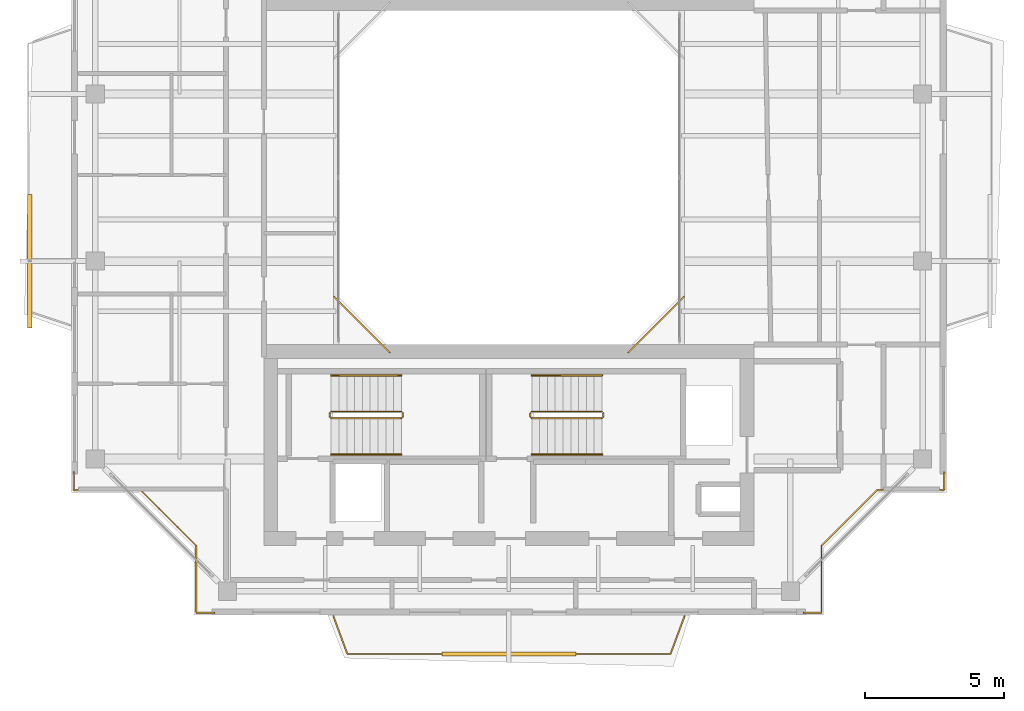
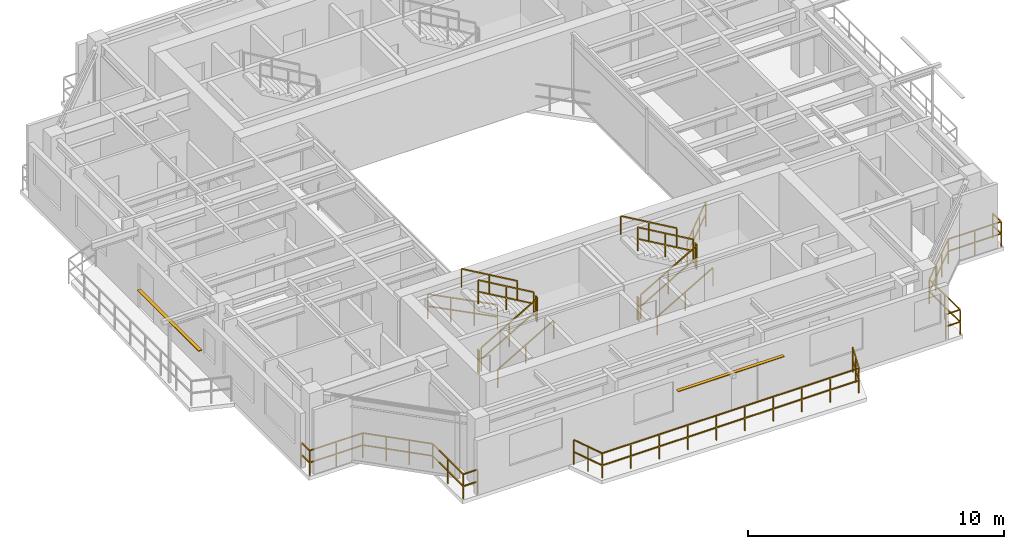
# One storey, part 13 of 15: 17 railings, 2 shading devices.
"""IFC4 building model written with IfcOpenShell, lengths in metres."""

from ifc_helpers import new_model, si_unit, direction, frame, origin, origin_2d, place, context, subcontext, project, spatial, rectangle, extrude, source, transform, mapped, material, material_profile, profile_set, type_object, element, save


model = new_model("IFC4")

# Units and contexts
model_context = context("Model", 3, precision=1e-05, world=origin(), true_north=direction((0.0, 1.0)))
body_context = subcontext(model_context, "Body", "Model", "MODEL_VIEW")
ifc_project = project(units=[si_unit("LENGTHUNIT", "METRE"), si_unit("AREAUNIT", "SQUARE_METRE"), si_unit("VOLUMEUNIT", "CUBIC_METRE"), si_unit("PLANEANGLEUNIT", "RADIAN"), si_unit("MASSUNIT", "GRAM", prefix="KILO"), si_unit("THERMODYNAMICTEMPERATUREUNIT", "KELVIN"), si_unit("POWERUNIT", "WATT")], contexts=[model_context])

# Site, building, storey
site_placement = place(None, origin())
site = spatial("IfcSite", under=ifc_project, at=site_placement, CompositionType="ELEMENT")
building_placement = place(site_placement, origin())
building = spatial("IfcBuilding", under=site, at=building_placement, Name="Qiaomeng Ring Towers", CompositionType="ELEMENT")
storey_placement = place(building_placement, frame((0.0, 0.0, 256.75)))
storey = spatial("IfcBuildingStorey", under=building, at=storey_placement, Name="L75", CompositionType="ELEMENT", Elevation=256.75)

# Railings
ifc_material_1 = material(Name="Low-E pale-green laminated safety glass", Category="glass")
railing_type_1 = type_object("IfcRailingType", Name="ARC-RL-BAL1", PredefinedType="BALUSTRADE", material=ifc_material_1)
railing_1_placement = place(storey_placement, frame((23.280029296875, 16.719970703125, 0.0)))
element("IfcRailing", 1, at=railing_1_placement, inside=storey, type_object=railing_type_1, Name="L75 Balustrade ARC-BAL-WELL1-L75-1", PredefinedType="BALUSTRADE", context=body_context, shape_type="SweptSolid", body=[
    extrude(rectangle(XDim=0.048095703125, YDim=0.048095703125, at=origin_2d()), frame((0.0, 0.0, 1.17578125), z_axis=(0.707106781187, 0.707106781187, 0.0), x_axis=(-0.707106781187, 0.707106781187, 0.0)), (0.0, 0.0, 1.0), 2.828369140625),
    extrude(rectangle(XDim=0.048095703125, YDim=0.048095703125, at=origin_2d()), frame((0.0, 0.0, 0.60009765625), z_axis=(0.707106781187, 0.707106781187, 0.0), x_axis=(-0.707106781187, 0.707106781187, 0.0)), (0.0, 0.0, 1.0), 2.828369140625),
    extrude(rectangle(XDim=0.0419921875, YDim=0.0419921875, at=origin_2d()), origin(), (0.0, 0.0, 1.0), 1.15185546875),
    extrude(rectangle(XDim=0.0419921875, YDim=0.0419921875, at=origin_2d()), frame((0.666748046875, 0.666748046875, 0.0)), (0.0, 0.0, 1.0), 1.15185546875),
    extrude(rectangle(XDim=0.0419921875, YDim=0.0419921875, at=origin_2d()), frame((1.333251953125, 1.333251953125, 0.0)), (0.0, 0.0, 1.0), 1.15185546875),
    extrude(rectangle(XDim=0.0419921875, YDim=0.0419921875, at=origin_2d()), frame((2.0, 2.0, 0.0)), (0.0, 0.0, 1.0), 1.15185546875),
])
railing_2_placement = place(storey_placement, frame((12.719970703125, 18.719970703125, 0.0)))
element("IfcRailing", 2, at=railing_2_placement, inside=storey, type_object=railing_type_1, Name="L75 Balustrade ARC-BAL-WELL1-L75-4", PredefinedType="BALUSTRADE", context=body_context, shape_type="SweptSolid", body=[
    extrude(rectangle(XDim=0.048095703125, YDim=0.048095703125, at=origin_2d()), frame((0.0, 0.0, 1.17578125), z_axis=(0.707106781187, -0.707106781187, 0.0), x_axis=(0.707106781187, 0.707106781187, 0.0)), (0.0, 0.0, 1.0), 2.828369140625),
    extrude(rectangle(XDim=0.048095703125, YDim=0.048095703125, at=origin_2d()), frame((0.0, 0.0, 0.60009765625), z_axis=(0.707106781187, -0.707106781187, 0.0), x_axis=(0.707106781187, 0.707106781187, 0.0)), (0.0, 0.0, 1.0), 2.828369140625),
    extrude(rectangle(XDim=0.0419921875, YDim=0.0419921875, at=origin_2d()), origin(), (0.0, 0.0, 1.0), 1.15185546875),
    extrude(rectangle(XDim=0.0419921875, YDim=0.0419921875, at=origin_2d()), frame((0.666748046875, -0.666748046875, 0.0)), (0.0, 0.0, 1.0), 1.15185546875),
    extrude(rectangle(XDim=0.0419921875, YDim=0.0419921875, at=origin_2d()), frame((1.333251953125, -1.333251953125, 0.0)), (0.0, 0.0, 1.0), 1.15185546875),
    extrude(rectangle(XDim=0.0419921875, YDim=0.0419921875, at=origin_2d()), frame((2.0, -2.0, 0.0)), (0.0, 0.0, 1.0), 1.15185546875),
])
railing_3_placement = place(storey_placement, frame((29.570068359375, 7.3798828125, 0.0)))
element("IfcRailing", 3, at=railing_3_placement, inside=storey, type_object=railing_type_1, Name="L75 Balustrade ARC-BAL-NOTCH1-L75-SE", PredefinedType="BALUSTRADE", context=body_context, shape_type="SweptSolid", body=[
    extrude(rectangle(XDim=0.048095703125, YDim=0.048095703125, at=origin_2d()), frame((0.0, 0.0, 1.17578125), z_axis=(1.0, 0.0, 0.0), x_axis=(0.0, 1.0, 0.0)), (0.0, 0.0, 1.0), 0.64990234375),
    extrude(rectangle(XDim=0.048095703125, YDim=0.048095703125, at=origin_2d()), frame((0.0, 0.0, 0.60009765625), z_axis=(1.0, 0.0, 0.0), x_axis=(0.0, 1.0, 0.0)), (0.0, 0.0, 1.0), 0.64990234375),
    extrude(rectangle(XDim=0.048095703125, YDim=0.048095703125, at=origin_2d()), frame((0.64990234375, 0.0, 1.17578125), z_axis=(0.0, 1.0, 0.0), x_axis=(-1.0, 0.0, 0.0)), (0.0, 0.0, 1.0), 2.400146484375),
    extrude(rectangle(XDim=0.048095703125, YDim=0.048095703125, at=origin_2d()), frame((0.64990234375, 0.0, 0.60009765625), z_axis=(0.0, 1.0, 0.0), x_axis=(-1.0, 0.0, 0.0)), (0.0, 0.0, 1.0), 2.400146484375),
    extrude(rectangle(XDim=0.048095703125, YDim=0.048095703125, at=origin_2d()), frame((0.64990234375, 2.400146484375, 1.17578125), z_axis=(0.707106781187, 0.707106781187, 0.0), x_axis=(-0.707106781187, 0.707106781187, 0.0)), (0.0, 0.0, 1.0), 2.828369140625),
    extrude(rectangle(XDim=0.048095703125, YDim=0.048095703125, at=origin_2d()), frame((0.64990234375, 2.400146484375, 0.60009765625), z_axis=(0.707106781187, 0.707106781187, 0.0), x_axis=(-0.707106781187, 0.707106781187, 0.0)), (0.0, 0.0, 1.0), 2.828369140625),
    extrude(rectangle(XDim=0.048095703125, YDim=0.048095703125, at=origin_2d()), frame((2.64990234375, 4.400146484375, 1.17578125), z_axis=(1.0, 0.0, 0.0), x_axis=(0.0, 1.0, 0.0)), (0.0, 0.0, 1.0), 2.400146484375),
    extrude(rectangle(XDim=0.048095703125, YDim=0.048095703125, at=origin_2d()), frame((2.64990234375, 4.400146484375, 0.60009765625), z_axis=(1.0, 0.0, 0.0), x_axis=(0.0, 1.0, 0.0)), (0.0, 0.0, 1.0), 2.400146484375),
    extrude(rectangle(XDim=0.048095703125, YDim=0.048095703125, at=origin_2d()), frame((5.050048828125, 4.400146484375, 1.17578125), z_axis=(0.0, 1.0, 0.0), x_axis=(-1.0, 0.0, 0.0)), (0.0, 0.0, 1.0), 0.64990234375),
    extrude(rectangle(XDim=0.048095703125, YDim=0.048095703125, at=origin_2d()), frame((5.050048828125, 4.400146484375, 0.60009765625), z_axis=(0.0, 1.0, 0.0), x_axis=(-1.0, 0.0, 0.0)), (0.0, 0.0, 1.0), 0.64990234375),
    extrude(rectangle(XDim=0.0419921875, YDim=0.0419921875, at=origin_2d()), origin(), (0.0, 0.0, 1.0), 1.15185546875),
    extrude(rectangle(XDim=0.0419921875, YDim=0.0419921875, at=origin_2d()), frame((0.64990234375, 0.0, 0.0)), (0.0, 0.0, 1.0), 1.15185546875),
    extrude(rectangle(XDim=0.0419921875, YDim=0.0419921875, at=origin_2d()), frame((0.64990234375, 1.2001953125, 0.0)), (0.0, 0.0, 1.0), 1.15185546875),
    extrude(rectangle(XDim=0.0419921875, YDim=0.0419921875, at=origin_2d()), frame((0.64990234375, 2.400146484375, 0.0)), (0.0, 0.0, 1.0), 1.15185546875),
    extrude(rectangle(XDim=0.0419921875, YDim=0.0419921875, at=origin_2d()), frame((1.316650390625, 3.06689453125, 0.0)), (0.0, 0.0, 1.0), 1.15185546875),
    extrude(rectangle(XDim=0.0419921875, YDim=0.0419921875, at=origin_2d()), frame((1.983154296875, 3.7333984375, 0.0)), (0.0, 0.0, 1.0), 1.15185546875),
    extrude(rectangle(XDim=0.0419921875, YDim=0.0419921875, at=origin_2d()), frame((2.64990234375, 4.400146484375, 0.0)), (0.0, 0.0, 1.0), 1.15185546875),
    extrude(rectangle(XDim=0.0419921875, YDim=0.0419921875, at=origin_2d()), frame((3.85009765625, 4.400146484375, 0.0)), (0.0, 0.0, 1.0), 1.15185546875),
    extrude(rectangle(XDim=0.0419921875, YDim=0.0419921875, at=origin_2d()), frame((5.050048828125, 4.400146484375, 0.0)), (0.0, 0.0, 1.0), 1.15185546875),
    extrude(rectangle(XDim=0.0419921875, YDim=0.0419921875, at=origin_2d()), frame((5.050048828125, 5.050048828125, 0.0)), (0.0, 0.0, 1.0), 1.15185546875),
])
railing_4_placement = place(storey_placement, frame((3.3798828125, 12.429931640625, 0.0)))
element("IfcRailing", 4, at=railing_4_placement, inside=storey, type_object=railing_type_1, Name="L75 Balustrade ARC-BAL-NOTCH1-L75-SW", PredefinedType="BALUSTRADE", context=body_context, shape_type="SweptSolid", body=[
    extrude(rectangle(XDim=0.048095703125, YDim=0.048095703125, at=origin_2d()), frame((0.0, 0.0, 1.17578125), z_axis=(0.0, -1.0, 0.0), x_axis=(1.0, 0.0, 0.0)), (0.0, 0.0, 1.0), 0.64990234375),
    extrude(rectangle(XDim=0.048095703125, YDim=0.048095703125, at=origin_2d()), frame((0.0, 0.0, 0.60009765625), z_axis=(0.0, -1.0, 0.0), x_axis=(1.0, 0.0, 0.0)), (0.0, 0.0, 1.0), 0.64990234375),
    extrude(rectangle(XDim=0.048095703125, YDim=0.048095703125, at=origin_2d()), frame((0.0, -0.64990234375, 1.17578125), z_axis=(1.0, 0.0, 0.0), x_axis=(0.0, 1.0, 0.0)), (0.0, 0.0, 1.0), 2.400146484375),
    extrude(rectangle(XDim=0.048095703125, YDim=0.048095703125, at=origin_2d()), frame((0.0, -0.64990234375, 0.60009765625), z_axis=(1.0, 0.0, 0.0), x_axis=(0.0, 1.0, 0.0)), (0.0, 0.0, 1.0), 2.400146484375),
    extrude(rectangle(XDim=0.048095703125, YDim=0.048095703125, at=origin_2d()), frame((2.400146484375, -0.64990234375, 1.17578125), z_axis=(0.707106781187, -0.707106781187, 0.0), x_axis=(0.707106781187, 0.707106781187, 0.0)), (0.0, 0.0, 1.0), 2.828369140625),
    extrude(rectangle(XDim=0.048095703125, YDim=0.048095703125, at=origin_2d()), frame((2.400146484375, -0.64990234375, 0.60009765625), z_axis=(0.707106781187, -0.707106781187, 0.0), x_axis=(0.707106781187, 0.707106781187, 0.0)), (0.0, 0.0, 1.0), 2.828369140625),
    extrude(rectangle(XDim=0.048095703125, YDim=0.048095703125, at=origin_2d()), frame((4.400146484375, -2.64990234375, 1.17578125), z_axis=(0.0, -1.0, 0.0), x_axis=(1.0, 0.0, 0.0)), (0.0, 0.0, 1.0), 2.400146484375),
    extrude(rectangle(XDim=0.048095703125, YDim=0.048095703125, at=origin_2d()), frame((4.400146484375, -2.64990234375, 0.60009765625), z_axis=(0.0, -1.0, 0.0), x_axis=(1.0, 0.0, 0.0)), (0.0, 0.0, 1.0), 2.400146484375),
    extrude(rectangle(XDim=0.048095703125, YDim=0.048095703125, at=origin_2d()), frame((4.400146484375, -5.050048828125, 1.17578125), z_axis=(1.0, 0.0, 0.0), x_axis=(0.0, 1.0, 0.0)), (0.0, 0.0, 1.0), 0.64990234375),
    extrude(rectangle(XDim=0.048095703125, YDim=0.048095703125, at=origin_2d()), frame((4.400146484375, -5.050048828125, 0.60009765625), z_axis=(1.0, 0.0, 0.0), x_axis=(0.0, 1.0, 0.0)), (0.0, 0.0, 1.0), 0.64990234375),
    extrude(rectangle(XDim=0.0419921875, YDim=0.0419921875, at=origin_2d()), origin(), (0.0, 0.0, 1.0), 1.15185546875),
    extrude(rectangle(XDim=0.0419921875, YDim=0.0419921875, at=origin_2d()), frame((0.0, -0.64990234375, 0.0)), (0.0, 0.0, 1.0), 1.15185546875),
    extrude(rectangle(XDim=0.0419921875, YDim=0.0419921875, at=origin_2d()), frame((1.2001953125, -0.64990234375, 0.0)), (0.0, 0.0, 1.0), 1.15185546875),
    extrude(rectangle(XDim=0.0419921875, YDim=0.0419921875, at=origin_2d()), frame((2.400146484375, -0.64990234375, 0.0)), (0.0, 0.0, 1.0), 1.15185546875),
    extrude(rectangle(XDim=0.0419921875, YDim=0.0419921875, at=origin_2d()), frame((3.06689453125, -1.316650390625, 0.0)), (0.0, 0.0, 1.0), 1.15185546875),
    extrude(rectangle(XDim=0.0419921875, YDim=0.0419921875, at=origin_2d()), frame((3.7333984375, -1.983154296875, 0.0)), (0.0, 0.0, 1.0), 1.15185546875),
    extrude(rectangle(XDim=0.0419921875, YDim=0.0419921875, at=origin_2d()), frame((4.400146484375, -2.64990234375, 0.0)), (0.0, 0.0, 1.0), 1.15185546875),
    extrude(rectangle(XDim=0.0419921875, YDim=0.0419921875, at=origin_2d()), frame((4.400146484375, -3.85009765625, 0.0)), (0.0, 0.0, 1.0), 1.15185546875),
    extrude(rectangle(XDim=0.0419921875, YDim=0.0419921875, at=origin_2d()), frame((4.400146484375, -5.050048828125, 0.0)), (0.0, 0.0, 1.0), 1.15185546875),
    extrude(rectangle(XDim=0.0419921875, YDim=0.0419921875, at=origin_2d()), frame((5.050048828125, -5.050048828125, 0.0)), (0.0, 0.0, 1.0), 1.15185546875),
])
railing_5_placement = place(storey_placement, frame((12.699951171875, 7.25, 0.0)))
element("IfcRailing", 5, at=railing_5_placement, inside=storey, type_object=railing_type_1, Name="L75 Balustrade ARC-BAL-L75-T1-S", PredefinedType="BALUSTRADE", context=body_context, shape_type="SweptSolid", body=[
    extrude(rectangle(XDim=0.048095703125, YDim=0.048095703125, at=origin_2d()), frame((0.0, 0.0, 1.17578125), z_axis=(0.34729226376, -0.937756942673, 0.0), x_axis=(0.937756942673, 0.34729226376, 0.0)), (0.0, 0.0, 1.0), 1.439697265625),
    extrude(rectangle(XDim=0.048095703125, YDim=0.048095703125, at=origin_2d()), frame((0.0, 0.0, 0.60009765625), z_axis=(0.34729226376, -0.937756942673, 0.0), x_axis=(0.937756942673, 0.34729226376, 0.0)), (0.0, 0.0, 1.0), 1.439697265625),
    extrude(rectangle(XDim=0.048095703125, YDim=0.048095703125, at=origin_2d()), frame((0.5, -1.35009765625, 1.17578125), z_axis=(1.0, 0.0, 0.0), x_axis=(0.0, 1.0, 0.0)), (0.0, 0.0, 1.0), 11.60009765625),
    extrude(rectangle(XDim=0.048095703125, YDim=0.048095703125, at=origin_2d()), frame((0.5, -1.35009765625, 0.60009765625), z_axis=(1.0, 0.0, 0.0), x_axis=(0.0, 1.0, 0.0)), (0.0, 0.0, 1.0), 11.60009765625),
    extrude(rectangle(XDim=0.048095703125, YDim=0.048095703125, at=origin_2d()), frame((12.10009765625, -1.35009765625, 1.17578125), z_axis=(0.34729226376, 0.937756942673, 0.0), x_axis=(-0.937756942673, 0.34729226376, 0.0)), (0.0, 0.0, 1.0), 1.439697265625),
    extrude(rectangle(XDim=0.048095703125, YDim=0.048095703125, at=origin_2d()), frame((12.10009765625, -1.35009765625, 0.60009765625), z_axis=(0.34729226376, 0.937756942673, 0.0), x_axis=(-0.937756942673, 0.34729226376, 0.0)), (0.0, 0.0, 1.0), 1.439697265625),
    extrude(rectangle(XDim=0.0419921875, YDim=0.0419921875, at=origin_2d()), origin(), (0.0, 0.0, 1.0), 1.15185546875),
    extrude(rectangle(XDim=0.0419921875, YDim=0.0419921875, at=origin_2d()), frame((0.25, -0.675048828125, 0.0)), (0.0, 0.0, 1.0), 1.15185546875),
    extrude(rectangle(XDim=0.0419921875, YDim=0.0419921875, at=origin_2d()), frame((0.5, -1.35009765625, 0.0)), (0.0, 0.0, 1.0), 1.15185546875),
    extrude(rectangle(XDim=0.0419921875, YDim=0.0419921875, at=origin_2d()), frame((1.788818359375, -1.35009765625, 0.0)), (0.0, 0.0, 1.0), 1.15185546875),
    extrude(rectangle(XDim=0.0419921875, YDim=0.0419921875, at=origin_2d()), frame((3.077880859375, -1.35009765625, 0.0)), (0.0, 0.0, 1.0), 1.15185546875),
    extrude(rectangle(XDim=0.0419921875, YDim=0.0419921875, at=origin_2d()), frame((4.36669921875, -1.35009765625, 0.0)), (0.0, 0.0, 1.0), 1.15185546875),
    extrude(rectangle(XDim=0.0419921875, YDim=0.0419921875, at=origin_2d()), frame((5.655517578125, -1.35009765625, 0.0)), (0.0, 0.0, 1.0), 1.15185546875),
    extrude(rectangle(XDim=0.0419921875, YDim=0.0419921875, at=origin_2d()), frame((6.944580078125, -1.35009765625, 0.0)), (0.0, 0.0, 1.0), 1.15185546875),
    extrude(rectangle(XDim=0.0419921875, YDim=0.0419921875, at=origin_2d()), frame((8.2333984375, -1.35009765625, 0.0)), (0.0, 0.0, 1.0), 1.15185546875),
    extrude(rectangle(XDim=0.0419921875, YDim=0.0419921875, at=origin_2d()), frame((9.522216796875, -1.35009765625, 0.0)), (0.0, 0.0, 1.0), 1.15185546875),
    extrude(rectangle(XDim=0.0419921875, YDim=0.0419921875, at=origin_2d()), frame((10.811279296875, -1.35009765625, 0.0)), (0.0, 0.0, 1.0), 1.15185546875),
    extrude(rectangle(XDim=0.0419921875, YDim=0.0419921875, at=origin_2d()), frame((12.10009765625, -1.35009765625, 0.0)), (0.0, 0.0, 1.0), 1.15185546875),
    extrude(rectangle(XDim=0.0419921875, YDim=0.0419921875, at=origin_2d()), frame((12.35009765625, -0.675048828125, 0.0)), (0.0, 0.0, 1.0), 1.15185546875),
    extrude(rectangle(XDim=0.0419921875, YDim=0.0419921875, at=origin_2d()), frame((12.60009765625, 0.0, 0.0)), (0.0, 0.0, 1.0), 1.15185546875),
])
ifc_material_2 = material(Name="Galvanised steel", Category="steel")
railing_type_2 = type_object("IfcRailingType", Name="ARC-RL-GUARD", PredefinedType="GUARDRAIL", material=ifc_material_2)
railing_6_placement = place(storey_placement, frame((12.6201171875, 14.360107421875, 0.16259765625)))
element("IfcRailing", 6, at=railing_6_placement, inside=storey, type_object=railing_type_2, Name="L75 ST3 stair guard 1", PredefinedType="GUARDRAIL", context=body_context, shape_type="SweptSolid", body=[
    extrude(rectangle(XDim=0.048095703125, YDim=0.048095703125, at=origin_2d()), frame((0.0, 0.0, 1.1259765625), z_axis=(0.864892226395, 0.0, 0.501957604506), x_axis=(0.0, 1.0, 0.0)), (0.0, 0.0, 1.0), 2.913330078125),
    extrude(rectangle(XDim=0.048095703125, YDim=0.048095703125, at=origin_2d()), frame((0.0, 0.0, 0.574951171875), z_axis=(0.864892226395, 0.0, 0.501957604506), x_axis=(0.0, 1.0, 0.0)), (0.0, 0.0, 1.0), 2.913330078125),
    extrude(rectangle(XDim=0.0419921875, YDim=0.0419921875, at=origin_2d()), origin(), (0.0, 0.0, 1.0), 1.101806640625),
    extrude(rectangle(XDim=0.0419921875, YDim=0.0419921875, at=origin_2d()), frame((1.259765625, 0.0, 0.731201171875)), (0.0, 0.0, 1.0), 1.101806640625),
    extrude(rectangle(XDim=0.0419921875, YDim=0.0419921875, at=origin_2d()), frame((2.519775390625, 0.0, 1.46240234375)), (0.0, 0.0, 1.0), 1.101806640625),
])
railing_7_placement = place(storey_placement, frame((15.18994140625, 14.409912109375, 1.625)))
element("IfcRailing", 7, at=railing_7_placement, inside=storey, type_object=railing_type_2, Name="L75 ST3 stair guard 2", PredefinedType="GUARDRAIL", context=body_context, shape_type="SweptSolid", body=[
    extrude(rectangle(XDim=0.048095703125, YDim=0.048095703125, at=origin_2d()), frame((0.0, 0.0, 1.1259765625), z_axis=(0.0, 1.0, 0.0), x_axis=(-1.0, 0.0, 0.0)), (0.0, 0.0, 1.0), 0.14013671875),
    extrude(rectangle(XDim=0.048095703125, YDim=0.048095703125, at=origin_2d()), frame((0.0, 0.0, 0.574951171875), z_axis=(0.0, 1.0, 0.0), x_axis=(-1.0, 0.0, 0.0)), (0.0, 0.0, 1.0), 0.14013671875),
    extrude(rectangle(XDim=0.0419921875, YDim=0.0419921875, at=origin_2d()), origin(), (0.0, 0.0, 1.0), 1.101806640625),
    extrude(rectangle(XDim=0.0419921875, YDim=0.0419921875, at=origin_2d()), frame((0.0, 0.14013671875, 0.0)), (0.0, 0.0, 1.0), 1.101806640625),
])
railing_8_placement = place(storey_placement, frame((15.139892578125, 14.60009765625, 1.78759765625)))
element("IfcRailing", 8, at=railing_8_placement, inside=storey, type_object=railing_type_2, Name="L75 ST3 stair guard 3", PredefinedType="GUARDRAIL", context=body_context, shape_type="SweptSolid", body=[
    extrude(rectangle(XDim=0.048095703125, YDim=0.048095703125, at=origin_2d()), frame((0.0, 0.0, 1.1259765625), z_axis=(-0.864892226395, 0.0, 0.501957604506), x_axis=(0.0, -1.0, 0.0)), (0.0, 0.0, 1.0), 2.913330078125),
    extrude(rectangle(XDim=0.048095703125, YDim=0.048095703125, at=origin_2d()), frame((0.0, 0.0, 0.574951171875), z_axis=(-0.864892226395, 0.0, 0.501957604506), x_axis=(0.0, -1.0, 0.0)), (0.0, 0.0, 1.0), 2.913330078125),
    extrude(rectangle(XDim=0.0419921875, YDim=0.0419921875, at=origin_2d()), origin(), (0.0, 0.0, 1.0), 1.101806640625),
    extrude(rectangle(XDim=0.0419921875, YDim=0.0419921875, at=origin_2d()), frame((-1.259765625, 0.0, 0.731201171875)), (0.0, 0.0, 1.0), 1.101806640625),
    extrude(rectangle(XDim=0.0419921875, YDim=0.0419921875, at=origin_2d()), frame((-2.519775390625, 0.0, 1.46240234375)), (0.0, 0.0, 1.0), 1.101806640625),
])
railing_9_placement = place(storey_placement, frame((12.570068359375, 14.409912109375, 0.0)))
element("IfcRailing", 9, at=railing_9_placement, inside=storey, type_object=railing_type_2, Name="L75 ST3 stair guard 4", PredefinedType="GUARDRAIL", context=body_context, shape_type="SweptSolid", body=[
    extrude(rectangle(XDim=0.048095703125, YDim=0.048095703125, at=origin_2d()), frame((0.0, 0.0, 1.1259765625), z_axis=(0.0, 1.0, 0.0), x_axis=(-1.0, 0.0, 0.0)), (0.0, 0.0, 1.0), 0.14013671875),
    extrude(rectangle(XDim=0.048095703125, YDim=0.048095703125, at=origin_2d()), frame((0.0, 0.0, 0.574951171875), z_axis=(0.0, 1.0, 0.0), x_axis=(-1.0, 0.0, 0.0)), (0.0, 0.0, 1.0), 0.14013671875),
    extrude(rectangle(XDim=0.0419921875, YDim=0.0419921875, at=origin_2d()), origin(), (0.0, 0.0, 1.0), 1.101806640625),
    extrude(rectangle(XDim=0.0419921875, YDim=0.0419921875, at=origin_2d()), frame((0.0, 0.14013671875, 0.0)), (0.0, 0.0, 1.0), 1.101806640625),
])
railing_10_placement = place(storey_placement, frame((19.820068359375, 14.360107421875, 0.16259765625)))
element("IfcRailing", 10, at=railing_10_placement, inside=storey, type_object=railing_type_2, Name="L75 ST4 stair guard 1", PredefinedType="GUARDRAIL", context=body_context, shape_type="SweptSolid", body=[
    extrude(rectangle(XDim=0.048095703125, YDim=0.048095703125, at=origin_2d()), frame((0.0, 0.0, 1.1259765625), z_axis=(0.864913338283, 0.0, 0.50192122615), x_axis=(0.0, 1.0, 0.0)), (0.0, 0.0, 1.0), 2.91357421875),
    extrude(rectangle(XDim=0.048095703125, YDim=0.048095703125, at=origin_2d()), frame((0.0, 0.0, 0.574951171875), z_axis=(0.864913338283, 0.0, 0.50192122615), x_axis=(0.0, 1.0, 0.0)), (0.0, 0.0, 1.0), 2.91357421875),
    extrude(rectangle(XDim=0.0419921875, YDim=0.0419921875, at=origin_2d()), origin(), (0.0, 0.0, 1.0), 1.101806640625),
    extrude(rectangle(XDim=0.0419921875, YDim=0.0419921875, at=origin_2d()), frame((1.260009765625, 0.0, 0.731201171875)), (0.0, 0.0, 1.0), 1.101806640625),
    extrude(rectangle(XDim=0.0419921875, YDim=0.0419921875, at=origin_2d()), frame((2.52001953125, 0.0, 1.46240234375)), (0.0, 0.0, 1.0), 1.101806640625),
])
railing_11_placement = place(storey_placement, frame((22.389892578125, 14.409912109375, 1.625)))
element("IfcRailing", 11, at=railing_11_placement, inside=storey, type_object=railing_type_2, Name="L75 ST4 stair guard 2", PredefinedType="GUARDRAIL", context=body_context, shape_type="SweptSolid", body=[
    extrude(rectangle(XDim=0.048095703125, YDim=0.048095703125, at=origin_2d()), frame((0.0, 0.0, 1.1259765625), z_axis=(0.0, 1.0, 0.0), x_axis=(-1.0, 0.0, 0.0)), (0.0, 0.0, 1.0), 0.14013671875),
    extrude(rectangle(XDim=0.048095703125, YDim=0.048095703125, at=origin_2d()), frame((0.0, 0.0, 0.574951171875), z_axis=(0.0, 1.0, 0.0), x_axis=(-1.0, 0.0, 0.0)), (0.0, 0.0, 1.0), 0.14013671875),
    extrude(rectangle(XDim=0.0419921875, YDim=0.0419921875, at=origin_2d()), origin(), (0.0, 0.0, 1.0), 1.101806640625),
    extrude(rectangle(XDim=0.0419921875, YDim=0.0419921875, at=origin_2d()), frame((0.0, 0.14013671875, 0.0)), (0.0, 0.0, 1.0), 1.101806640625),
])
railing_12_placement = place(storey_placement, frame((22.340087890625, 14.60009765625, 1.78759765625)))
element("IfcRailing", 12, at=railing_12_placement, inside=storey, type_object=railing_type_2, Name="L75 ST4 stair guard 3", PredefinedType="GUARDRAIL", context=body_context, shape_type="SweptSolid", body=[
    extrude(rectangle(XDim=0.048095703125, YDim=0.048095703125, at=origin_2d()), frame((0.0, 0.0, 1.1259765625), z_axis=(-0.864913338283, 0.0, 0.50192122615), x_axis=(0.0, -1.0, 0.0)), (0.0, 0.0, 1.0), 2.91357421875),
    extrude(rectangle(XDim=0.048095703125, YDim=0.048095703125, at=origin_2d()), frame((0.0, 0.0, 0.574951171875), z_axis=(-0.864913338283, 0.0, 0.50192122615), x_axis=(0.0, -1.0, 0.0)), (0.0, 0.0, 1.0), 2.91357421875),
    extrude(rectangle(XDim=0.0419921875, YDim=0.0419921875, at=origin_2d()), origin(), (0.0, 0.0, 1.0), 1.101806640625),
    extrude(rectangle(XDim=0.0419921875, YDim=0.0419921875, at=origin_2d()), frame((-1.260009765625, 0.0, 0.731201171875)), (0.0, 0.0, 1.0), 1.101806640625),
    extrude(rectangle(XDim=0.0419921875, YDim=0.0419921875, at=origin_2d()), frame((-2.52001953125, 0.0, 1.46240234375)), (0.0, 0.0, 1.0), 1.101806640625),
])
railing_13_placement = place(storey_placement, frame((19.77001953125, 14.409912109375, 0.0)))
element("IfcRailing", 13, at=railing_13_placement, inside=storey, type_object=railing_type_2, Name="L75 ST4 stair guard 4", PredefinedType="GUARDRAIL", context=body_context, shape_type="SweptSolid", body=[
    extrude(rectangle(XDim=0.048095703125, YDim=0.048095703125, at=origin_2d()), frame((0.0, 0.0, 1.1259765625), z_axis=(0.0, 1.0, 0.0), x_axis=(-1.0, 0.0, 0.0)), (0.0, 0.0, 1.0), 0.14013671875),
    extrude(rectangle(XDim=0.048095703125, YDim=0.048095703125, at=origin_2d()), frame((0.0, 0.0, 0.574951171875), z_axis=(0.0, 1.0, 0.0), x_axis=(-1.0, 0.0, 0.0)), (0.0, 0.0, 1.0), 0.14013671875),
    extrude(rectangle(XDim=0.0419921875, YDim=0.0419921875, at=origin_2d()), origin(), (0.0, 0.0, 1.0), 1.101806640625),
    extrude(rectangle(XDim=0.0419921875, YDim=0.0419921875, at=origin_2d()), frame((0.0, 0.14013671875, 0.0)), (0.0, 0.0, 1.0), 1.101806640625),
])
ifc_material_3 = material(Name="Stainless steel 316", Category="steel")
railing_type_3 = type_object("IfcRailingType", Name="ARC-RL-HAND", PredefinedType="HANDRAIL", material=ifc_material_3)
railing_14_placement = place(storey_placement, frame((12.6201171875, 13.06005859375, 0.16259765625)))
element("IfcRailing", 14, at=railing_14_placement, inside=storey, type_object=railing_type_3, Name="L75 ST3 stair handrail 1", PredefinedType="HANDRAIL", context=body_context, shape_type="SweptSolid", body=[
    extrude(rectangle(XDim=0.048095703125, YDim=0.048095703125, at=origin_2d()), frame((0.0, 0.0, 0.8759765625), z_axis=(0.864892226395, 0.0, 0.501957604506), x_axis=(0.0, 1.0, 0.0)), (0.0, 0.0, 1.0), 2.913330078125),
    extrude(rectangle(XDim=0.0419921875, YDim=0.0419921875, at=origin_2d()), origin(), (0.0, 0.0, 1.0), 0.851806640625),
    extrude(rectangle(XDim=0.0419921875, YDim=0.0419921875, at=origin_2d()), frame((1.259765625, 0.0, 0.731201171875)), (0.0, 0.0, 1.0), 0.851806640625),
    extrude(rectangle(XDim=0.0419921875, YDim=0.0419921875, at=origin_2d()), frame((2.519775390625, 0.0, 1.46240234375)), (0.0, 0.0, 1.0), 0.851806640625),
])
railing_15_placement = place(storey_placement, frame((15.139892578125, 15.89990234375, 1.78759765625)))
element("IfcRailing", 15, at=railing_15_placement, inside=storey, type_object=railing_type_3, Name="L75 ST3 stair handrail 2", PredefinedType="HANDRAIL", context=body_context, shape_type="SweptSolid", body=[
    extrude(rectangle(XDim=0.048095703125, YDim=0.048095703125, at=origin_2d()), frame((0.0, 0.0, 0.8759765625), z_axis=(-0.864892226395, 0.0, 0.501957604506), x_axis=(0.0, -1.0, 0.0)), (0.0, 0.0, 1.0), 2.913330078125),
    extrude(rectangle(XDim=0.0419921875, YDim=0.0419921875, at=origin_2d()), origin(), (0.0, 0.0, 1.0), 0.851806640625),
    extrude(rectangle(XDim=0.0419921875, YDim=0.0419921875, at=origin_2d()), frame((-1.259765625, 0.0, 0.731201171875)), (0.0, 0.0, 1.0), 0.851806640625),
    extrude(rectangle(XDim=0.0419921875, YDim=0.0419921875, at=origin_2d()), frame((-2.519775390625, 0.0, 1.46240234375)), (0.0, 0.0, 1.0), 0.851806640625),
])
railing_16_placement = place(storey_placement, frame((19.820068359375, 13.06005859375, 0.16259765625)))
element("IfcRailing", 16, at=railing_16_placement, inside=storey, type_object=railing_type_3, Name="L75 ST4 stair handrail 1", PredefinedType="HANDRAIL", context=body_context, shape_type="SweptSolid", body=[
    extrude(rectangle(XDim=0.048095703125, YDim=0.048095703125, at=origin_2d()), frame((0.0, 0.0, 0.8759765625), z_axis=(0.864913338283, 0.0, 0.50192122615), x_axis=(0.0, 1.0, 0.0)), (0.0, 0.0, 1.0), 2.91357421875),
    extrude(rectangle(XDim=0.0419921875, YDim=0.0419921875, at=origin_2d()), origin(), (0.0, 0.0, 1.0), 0.851806640625),
    extrude(rectangle(XDim=0.0419921875, YDim=0.0419921875, at=origin_2d()), frame((1.260009765625, 0.0, 0.731201171875)), (0.0, 0.0, 1.0), 0.851806640625),
    extrude(rectangle(XDim=0.0419921875, YDim=0.0419921875, at=origin_2d()), frame((2.52001953125, 0.0, 1.46240234375)), (0.0, 0.0, 1.0), 0.851806640625),
])
railing_17_placement = place(storey_placement, frame((22.340087890625, 15.89990234375, 1.78759765625)))
element("IfcRailing", 17, at=railing_17_placement, inside=storey, type_object=railing_type_3, Name="L75 ST4 stair handrail 2", PredefinedType="HANDRAIL", context=body_context, shape_type="SweptSolid", body=[
    extrude(rectangle(XDim=0.048095703125, YDim=0.048095703125, at=origin_2d()), frame((0.0, 0.0, 0.8759765625), z_axis=(-0.864913338283, 0.0, 0.50192122615), x_axis=(0.0, -1.0, 0.0)), (0.0, 0.0, 1.0), 2.91357421875),
    extrude(rectangle(XDim=0.0419921875, YDim=0.0419921875, at=origin_2d()), origin(), (0.0, 0.0, 1.0), 0.851806640625),
    extrude(rectangle(XDim=0.0419921875, YDim=0.0419921875, at=origin_2d()), frame((-1.260009765625, 0.0, 0.731201171875)), (0.0, 0.0, 1.0), 0.851806640625),
    extrude(rectangle(XDim=0.0419921875, YDim=0.0419921875, at=origin_2d()), frame((-2.52001953125, 0.0, 1.46240234375)), (0.0, 0.0, 1.0), 0.851806640625),
])

# Shading devices
ifc_material_4 = material(Name="Fluorocarbon dark-grey aluminium", Category="aluminium")
ifc_material_profile = material_profile(ifc_material_4, rectangle(XDim=0.14990234375, YDim=0.034912109375, at=origin_2d()), Name="LV BLADE 150x35")
ifc_profile_set = profile_set([ifc_material_profile], Name="Fluorocarbon dark-grey aluminium")
shading_device_type = type_object("IfcShadingDeviceType", Name="ARC-SHD-SUN", PredefinedType="AWNING", material=ifc_profile_set)
shared_shape = source(origin(), body_context, "Body", "SweptSolid", [
    extrude(rectangle(XDim=0.14990234375, YDim=0.034912109375, at=origin_2d()), origin(), (0.0, 0.0, 1.0), 4.7998046875),
])
for number, where, z_axis, x_axis, name in (
    (18, (16.60009765625, 5.89990234375, 2.969970703125), (1.0, 0.0, 0.0), (0.0, 1.0, 0.0), "L75 Ventilated Outer-Skin Sunshade S"),
    (19, (1.800048828125, 17.60009765625, 2.969970703125), (0.0, 1.0, 0.0), (-1.0, 0.0, 0.0), "L75 Ventilated Outer-Skin Sunshade W"),
):
    element("IfcShadingDevice", number, at=place(storey_placement, frame(where, z_axis=z_axis, x_axis=x_axis)), inside=storey, type_object=shading_device_type, Name=name, PredefinedType="AWNING", context=body_context, shape_type="MappedRepresentation", body=[
        mapped(shared_shape, transform((0.0, 0.0, 0.0), x_axis=(1.0, 0.0, 0.0), y_axis=(0.0, 1.0, 0.0), z_axis=(0.0, 0.0, 1.0), scale=1.0)),
    ])

save(model, "model.ifc")
